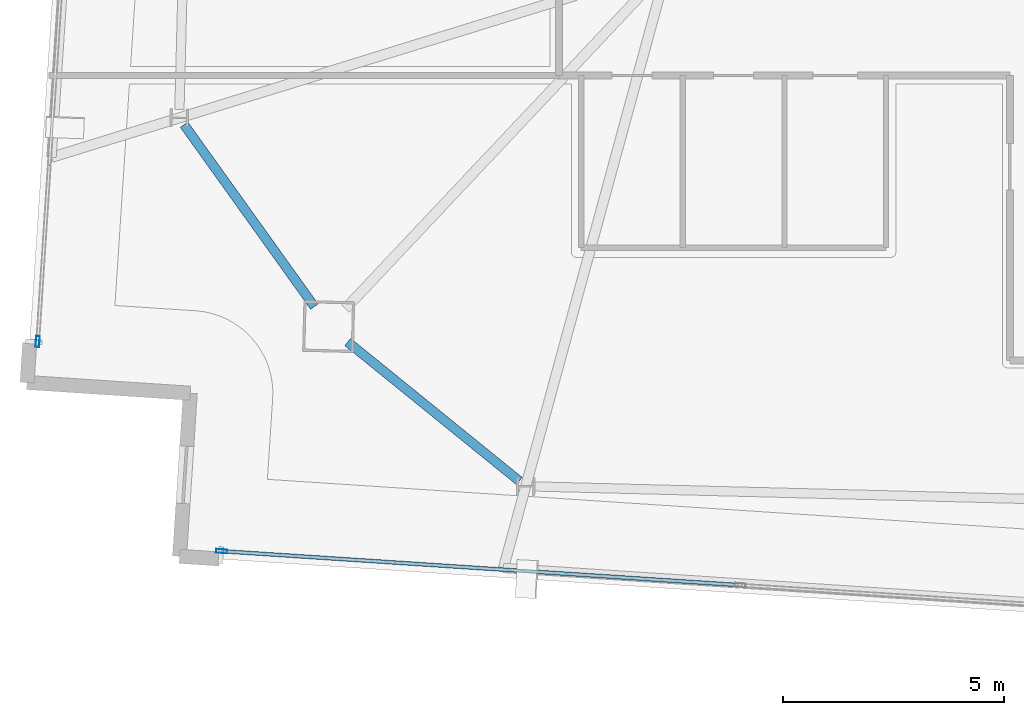
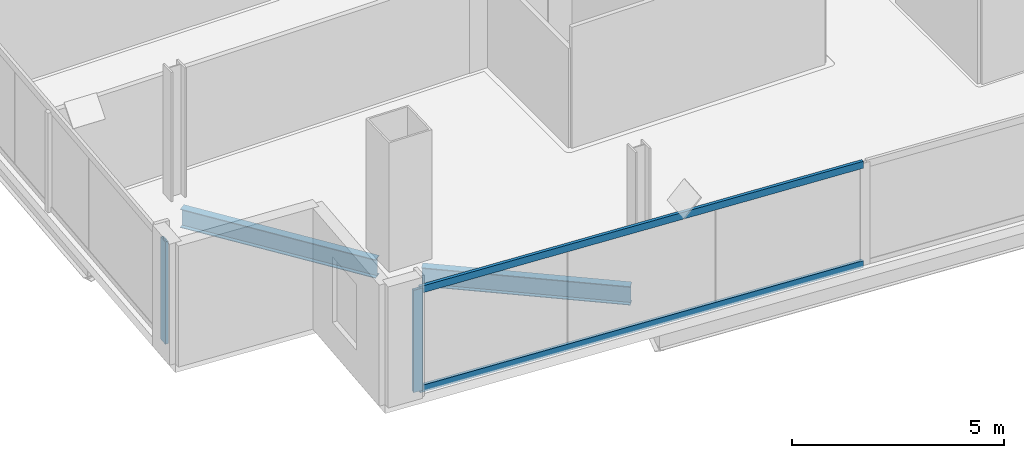
# One storey, part 2 of 24: 4 members, 2 beams, 2 elements without a shape of their own.
"""IFC4 building model written with IfcOpenShell, lengths in metres."""

from ifc_helpers import new_model, si_unit, direction, frame, origin, origin_2d, place, context, subcontext, project, spatial, hollow_rectangle, i_section, extrude, material, material_profile, profile_set, type_object, element, aggregate, save


model = new_model("IFC4")

# Units and contexts
model_context = context("Model", 3, precision=1e-05, world=origin(), true_north=direction((0.0, 1.0)))
body_context = subcontext(model_context, "Body", "Model", "MODEL_VIEW")
ifc_project = project(units=[si_unit("LENGTHUNIT", "METRE"), si_unit("AREAUNIT", "SQUARE_METRE"), si_unit("VOLUMEUNIT", "CUBIC_METRE"), si_unit("PLANEANGLEUNIT", "RADIAN"), si_unit("MASSUNIT", "GRAM", prefix="KILO")], contexts=[model_context])

# Site, building, storey
site_placement = place(None, origin())
site = spatial("IfcSite", under=ifc_project, at=site_placement, CompositionType="ELEMENT")
building_placement = place(site_placement, origin())
building = spatial("IfcBuilding", under=site, at=building_placement, Name="Haldenkirk Collegiate Tower", CompositionType="ELEMENT")
storey_placement = place(building_placement, frame((0.0, 0.0, 317.699951171875)))
storey = spatial("IfcBuildingStorey", under=building, at=storey_placement, Name="L80", CompositionType="ELEMENT", Elevation=317.699951171875)

# Beams
ifc_material_1 = material(Name="Steel ASTM A992 Grade 50", Category="steel")
ifc_material_profile_1 = material_profile(ifc_material_1, i_section(OverallWidth=0.2099609375, OverallDepth=0.537109375, WebThickness=0.010986328125, FlangeThickness=0.017333984375, at=origin_2d()), Name="W21X68")
ifc_profile_set_1 = profile_set([ifc_material_profile_1], Name="Steel ASTM A992 Grade 50")
beam_type = type_object("IfcBeamType", Name="BM-SPANDREL-W21X68", PredefinedType="SPANDREL", material=ifc_profile_set_1)
beam_1_placement = place(storey_placement, frame((16.064208984375, 14.434814453125, -0.528564453125), z_axis=(0.582300220922, -0.812973832737, 0.0), x_axis=(0.812973832737, 0.582300220922, 0.0)))
element("IfcBeam", 1, at=beam_1_placement, inside=storey, type_object=beam_type, Name="L80 perimeter spandrel beam 12", PredefinedType="SPANDREL", context=body_context, shape_type="SweptSolid", body=[
    extrude(i_section(OverallWidth=0.2099609375, OverallDepth=0.537109375, WebThickness=0.010986328125, FlangeThickness=0.017333984375, at=origin_2d()), origin(), (0.0, 0.0, 1.0), 5.064453125),
])
beam_2_placement = place(storey_placement, frame((19.767578125, 9.51708984375, -0.528564453125), z_axis=(0.776950131303, -0.629562144247, 0.0), x_axis=(0.629562144247, 0.776950131303, 0.0)))
element("IfcBeam", 2, at=beam_2_placement, inside=storey, type_object=beam_type, Name="L80 perimeter spandrel beam 13", PredefinedType="SPANDREL", context=body_context, shape_type="SweptSolid", body=[
    extrude(i_section(OverallWidth=0.2099609375, OverallDepth=0.537109375, WebThickness=0.010986328125, FlangeThickness=0.017333984375, at=origin_2d()), origin(), (0.0, 0.0, 1.0), 4.99755859375),
])

# Curtain wall, member
ifc_material_2 = material(Name="Anodised architectural bronze aluminium", Category="aluminium")
curtain_wall_type = type_object("IfcCurtainWallType", Name="CW-SYS1B-CONVEX-HI", PredefinedType="USERDEFINED", material=ifc_material_2)
curtain_wall_1_placement = place(storey_placement, origin())
curtain_wall_1 = element("IfcCurtainWall", 3, at=curtain_wall_1_placement, inside=storey, type_object=curtain_wall_type, Name="L80 Upper tower high-wind convex bronze unitised curtain wall", ObjectType="UNITISED CURTAIN WALL", PredefinedType="USERDEFINED")
ifc_material_profile_2 = material_profile(ifc_material_2, hollow_rectangle(XDim=0.0849609375, YDim=0.25, WallThickness=0.0048828125, at=origin_2d()), Name="CW-MUL-1B")
ifc_profile_set_2 = profile_set([ifc_material_profile_2], Name="Anodised architectural bronze aluminium")
member_type_1 = type_object("IfcMemberType", Name="CW-MUL-1B", PredefinedType="MULLION", material=ifc_profile_set_2)
member_1_placement = place(storey_placement, frame((12.7529296875, 9.527587890625, 0.0), z_axis=(0.0, 0.0, 1.0), x_axis=(-0.99785893177, 0.065402999064, 0.0)))
member_1 = element("IfcMember", 4, at=member_1_placement, type_object=member_type_1, Name="CW-1B mullion 1", PredefinedType="MULLION", context=body_context, shape_type="SweptSolid", body=[
    extrude(hollow_rectangle(XDim=0.0849609375, YDim=0.25, WallThickness=0.0048828125, at=origin_2d()), origin(), (0.0, 0.0, 1.0), 2.947998046875),
])
aggregate(curtain_wall_1, [member_1])

# Curtain wall, members
curtain_wall_2_placement = place(storey_placement, origin())
curtain_wall_2 = element("IfcCurtainWall", 5, at=curtain_wall_2_placement, inside=storey, type_object=curtain_wall_type, Name="L80 Upper tower high-wind convex bronze unitised curtain wall", ObjectType="UNITISED CURTAIN WALL", PredefinedType="USERDEFINED")
member_2_placement = place(storey_placement, frame((16.9140625, 4.78271484375, 0.0), z_axis=(0.0, 0.0, 1.0), x_axis=(-0.065401149336, -0.997859053006, 0.0)))
member_2 = element("IfcMember", 6, at=member_2_placement, type_object=member_type_1, Name="CW-1B mullion 4", PredefinedType="MULLION", context=body_context, shape_type="SweptSolid", body=[
    extrude(hollow_rectangle(XDim=0.0849609375, YDim=0.25, WallThickness=0.0048828125, at=origin_2d()), origin(), (0.0, 0.0, 1.0), 2.947998046875),
])
ifc_material_profile_3 = material_profile(ifc_material_2, hollow_rectangle(XDim=0.0849609375, YDim=0.199951171875, WallThickness=0.0048828125, at=origin_2d()), Name="CW-TRN-1B")
ifc_profile_set_3 = profile_set([ifc_material_profile_3], Name="Anodised architectural bronze aluminium")
member_type_2 = type_object("IfcMemberType", Name="CW-TRN-1B", PredefinedType="USERDEFINED", material=ifc_profile_set_3)
member_3_placement = place(storey_placement, frame((28.60400390625, 4.0166015625, 0.04248046875), z_axis=(-0.997858941076, 0.065402857087, 0.0), x_axis=(-0.065402857087, -0.997858941076, 0.0)))
member_3 = element("IfcMember", 7, at=member_3_placement, type_object=member_type_2, Name="CW-1B transom 3.1", ObjectType="TRANSOM", PredefinedType="USERDEFINED", context=body_context, shape_type="SweptSolid", body=[
    extrude(hollow_rectangle(XDim=0.0849609375, YDim=0.199951171875, WallThickness=0.0048828125, at=origin_2d()), origin(), (0.0, 0.0, 1.0), 11.672607421875),
])
member_4_placement = place(storey_placement, frame((28.60400390625, 4.0166015625, 2.905517578125), z_axis=(-0.997858941076, 0.065402857087, 0.0), x_axis=(-0.065402857087, -0.997858941076, 0.0)))
member_4 = element("IfcMember", 8, at=member_4_placement, type_object=member_type_2, Name="CW-1B transom 3.2", ObjectType="TRANSOM", PredefinedType="USERDEFINED", context=body_context, shape_type="SweptSolid", body=[
    extrude(hollow_rectangle(XDim=0.0849609375, YDim=0.199951171875, WallThickness=0.0048828125, at=origin_2d()), origin(), (0.0, 0.0, 1.0), 11.672607421875),
])
aggregate(curtain_wall_2, [member_2, member_3, member_4])

save(model, "model.ifc")
